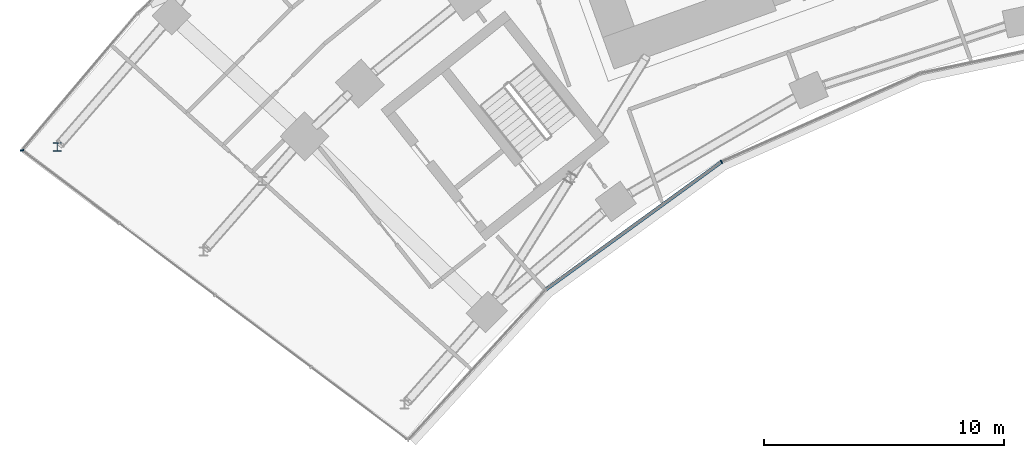
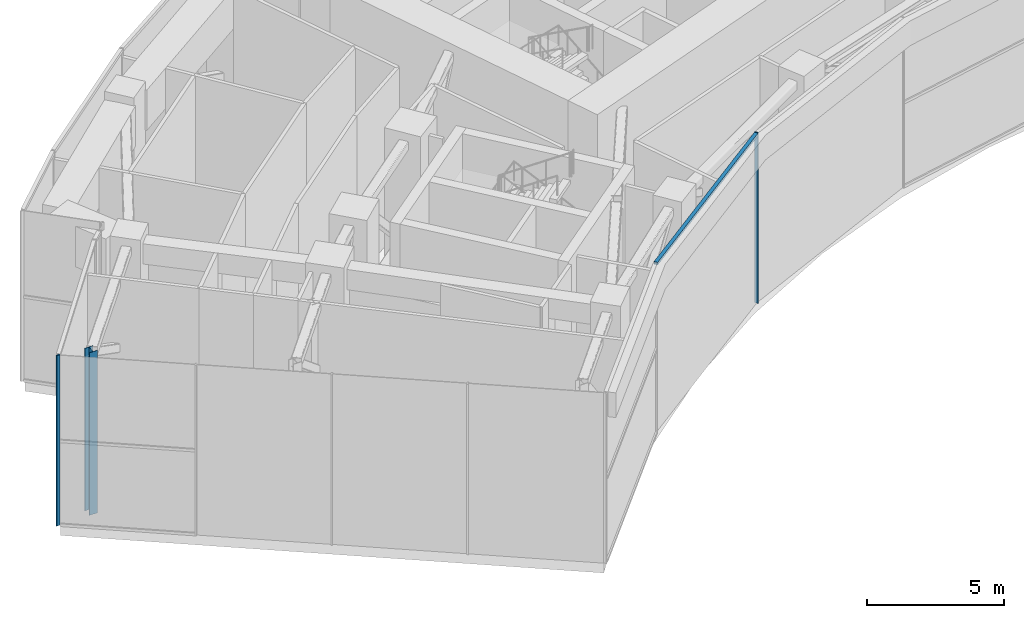
# One storey, part 3 of 30: 4 members, 2 elements without a shape of their own.
"""IFC4 building model written with IfcOpenShell, lengths in metres."""

from ifc_helpers import new_model, si_unit, direction, frame, origin, origin_2d, place, context, subcontext, project, spatial, rectangle, i_section, extrude, material, layer, layer_set, material_profile, profile_set, type_object, element, aggregate, save


model = new_model("IFC4")

# Units and contexts
model_context = context("Model", 3, precision=1e-05, world=origin(), true_north=direction((0.0, 1.0)))
body_context = subcontext(model_context, "Body", "Model", "MODEL_VIEW")
ifc_project = project(units=[si_unit("LENGTHUNIT", "METRE"), si_unit("AREAUNIT", "SQUARE_METRE"), si_unit("VOLUMEUNIT", "CUBIC_METRE"), si_unit("PLANEANGLEUNIT", "RADIAN"), si_unit("MASSUNIT", "GRAM", prefix="KILO")], contexts=[model_context])

# Site, building, storey
site_placement = place(None, origin())
site = spatial("IfcSite", under=ifc_project, at=site_placement, CompositionType="ELEMENT")
building_placement = place(site_placement, origin())
building = spatial("IfcBuilding", under=site, at=building_placement, Name="Stone Belt Terrace Tower", CompositionType="ELEMENT")
storey_placement = place(building_placement, frame((0.0, 0.0, 136.39990234375)))
storey = spatial("IfcBuildingStorey", under=building, at=storey_placement, Name="L33", CompositionType="ELEMENT", Elevation=136.39990234375)

# Curtain wall, members
ifc_material_1 = material(Name="Aluminium 6063-T6 anodised frame", Category="aluminium")
ifc_layer_1 = layer(ifc_material_1, 0.14990234375)
ifc_layer_set_1 = layer_set([ifc_layer_1], Name="CW-B unitised concave-face curtain wall")
curtain_wall_type_1 = type_object("IfcCurtainWallType", Name="CW-B unitised concave-face curtain wall", PredefinedType="NOTDEFINED", material=ifc_layer_set_1)
curtain_wall_1_placement = place(storey_placement, origin())
curtain_wall_1 = element("IfcCurtainWall", 1, at=curtain_wall_1_placement, inside=storey, type_object=curtain_wall_type_1, Name="CW-B concave face L33", PredefinedType="NOTDEFINED")
ifc_material_profile_1 = material_profile(ifc_material_1, rectangle(XDim=0.14990234375, YDim=0.050048828125, at=origin_2d()), Name="Aluminium 6063-T6 50x150")
ifc_profile_set_1 = profile_set([ifc_material_profile_1], Name="Aluminium 6063-T6 anodised frame")
member_type_1 = type_object("IfcMemberType", Name="CW-B mullion 50 x 150", PredefinedType="MULLION", material=ifc_profile_set_1)
member_1_placement = place(storey_placement, frame((-21.71240234375, 37.606689453125, 0.0), z_axis=(0.0, 0.0, 1.0), x_axis=(-0.5, 0.866025403784, 0.0)))
member_1 = element("IfcMember", 2, at=member_1_placement, type_object=member_type_1, Name="CW-B mullion 3", PredefinedType="MULLION", context=body_context, shape_type="SweptSolid", body=[
    extrude(rectangle(XDim=0.14990234375, YDim=0.050048828125, at=origin_2d()), origin(), (0.0, 0.0, 1.0), 7.60009765625),
])
ifc_material_profile_2 = material_profile(ifc_material_1, rectangle(XDim=0.14990234375, YDim=0.1201171875, at=origin_2d()), Name="Aluminium 6063-T6 150x120")
ifc_profile_set_2 = profile_set([ifc_material_profile_2], Name="Aluminium 6063-T6 anodised frame")
member_type_2 = type_object("IfcMemberType", Name="CW-B transom 120 x 150", PredefinedType="USERDEFINED", material=ifc_profile_set_2)
member_2_placement = place(storey_placement, frame((-29.03076171875, 32.28955078125, 7.5400390625), z_axis=(0.809008908433, 0.587796381475, 0.0), x_axis=(-0.587796381475, 0.809008908433, 0.0)))
member_2 = element("IfcMember", 3, at=member_2_placement, type_object=member_type_2, Name="CW-B transom 2.1", ObjectType="TRANSOM", PredefinedType="USERDEFINED", context=body_context, shape_type="SweptSolid", body=[
    extrude(rectangle(XDim=0.14990234375, YDim=0.1201171875, at=origin_2d()), origin(), (0.0, 0.0, 1.0), 9.013427734375),
])
aggregate(curtain_wall_1, [member_1, member_2])

# Curtain wall, member
ifc_layer_2 = layer(ifc_material_1, 0.14990234375)
ifc_layer_set_2 = layer_set([ifc_layer_2], Name="CW-C stick curtain wall, horn ends and notches")
curtain_wall_type_2 = type_object("IfcCurtainWallType", Name="CW-C stick curtain wall, horn ends and notches", PredefinedType="NOTDEFINED", material=ifc_layer_set_2)
curtain_wall_2_placement = place(storey_placement, origin())
curtain_wall_2 = element("IfcCurtainWall", 4, at=curtain_wall_2_placement, inside=storey, type_object=curtain_wall_type_2, Name="CW-C end face L33", PredefinedType="NOTDEFINED")
ifc_material_profile_3 = material_profile(ifc_material_1, rectangle(XDim=0.14990234375, YDim=0.06005859375, at=origin_2d()), Name="Aluminium 6063-T6 60x150")
ifc_profile_set_3 = profile_set([ifc_material_profile_3], Name="Aluminium 6063-T6 anodised frame")
member_type_3 = type_object("IfcMemberType", Name="CW-C mullion 60 x 150", PredefinedType="MULLION", material=ifc_profile_set_3)
member_3_placement = place(storey_placement, frame((-50.90771484375, 38.0888671875, 0.0), z_axis=(0.0, 0.0, 1.0), x_axis=(0.993646662511, 0.112544702587, 0.0)))
member_3 = element("IfcMember", 5, at=member_3_placement, type_object=member_type_3, Name="CW-C mullion 1", PredefinedType="MULLION", context=body_context, shape_type="SweptSolid", body=[
    extrude(rectangle(XDim=0.14990234375, YDim=0.06005859375, at=origin_2d()), origin(), (0.0, 0.0, 1.0), 7.60009765625),
])
aggregate(curtain_wall_2, [member_3])

# Member
ifc_material_2 = material(Name="Structural steel C345", Category="steel")
ifc_material_profile_4 = material_profile(ifc_material_2, i_section(OverallWidth=0.35009765625, OverallDepth=0.35009765625, WebThickness=0.011962890625, FlangeThickness=0.01904296875, at=origin_2d()), Name="I 35K2")
ifc_profile_set_4 = profile_set([ifc_material_profile_4], Name="Structural steel C345")
member_type_4 = type_object("IfcMemberType", Name="Outrigger post I 35K2", PredefinedType="POST", material=ifc_profile_set_4)
member_4_placement = place(storey_placement, frame((-49.432861328125, 38.226318359375, 0.0), z_axis=(0.0, 0.0, 1.0), x_axis=(1.0, 0.0, 0.0)))
element("IfcMember", 6, at=member_4_placement, inside=storey, type_object=member_type_4, Name="Outrigger T2 Rw tip post", PredefinedType="POST", context=body_context, shape_type="SweptSolid", body=[
    extrude(i_section(OverallWidth=0.35009765625, OverallDepth=0.35009765625, WebThickness=0.011962890625, FlangeThickness=0.01904296875, at=origin_2d()), origin(), (0.0, 0.0, 1.0), 7.25),
])

save(model, "model.ifc")
